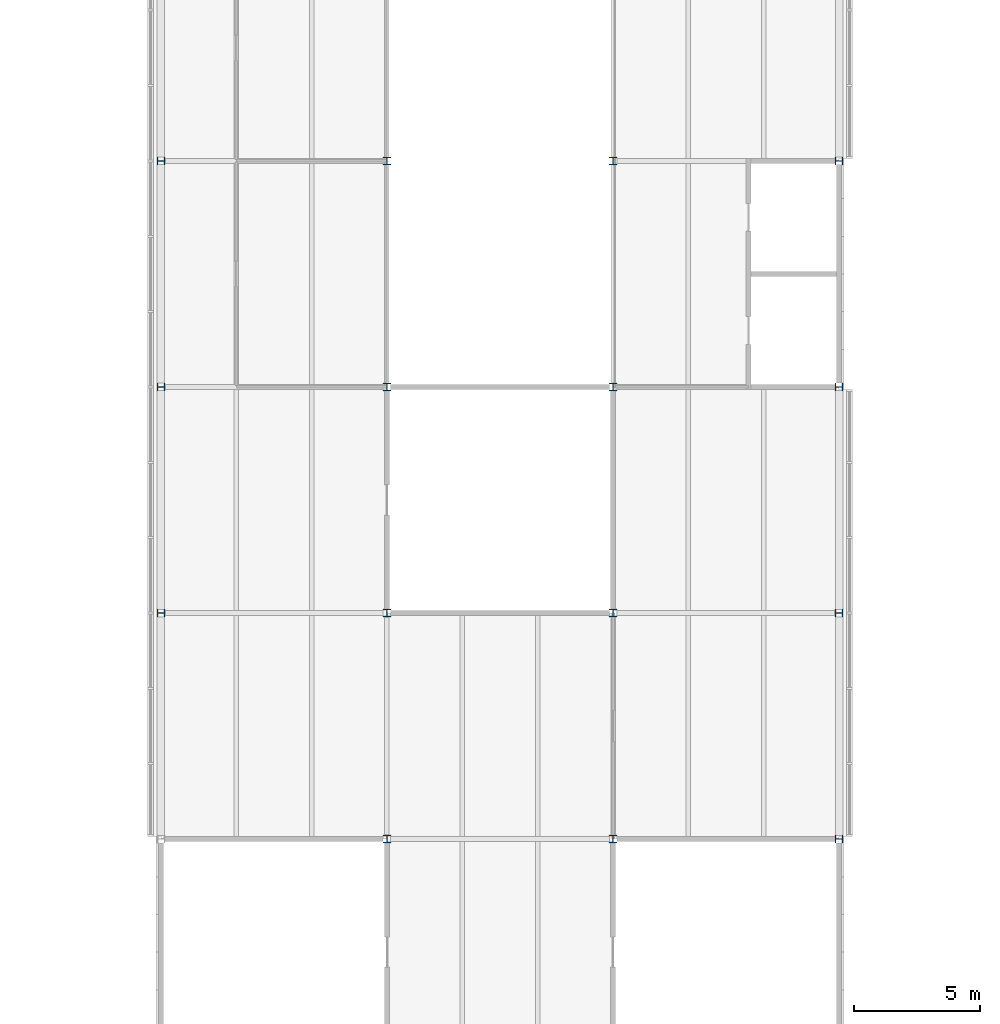
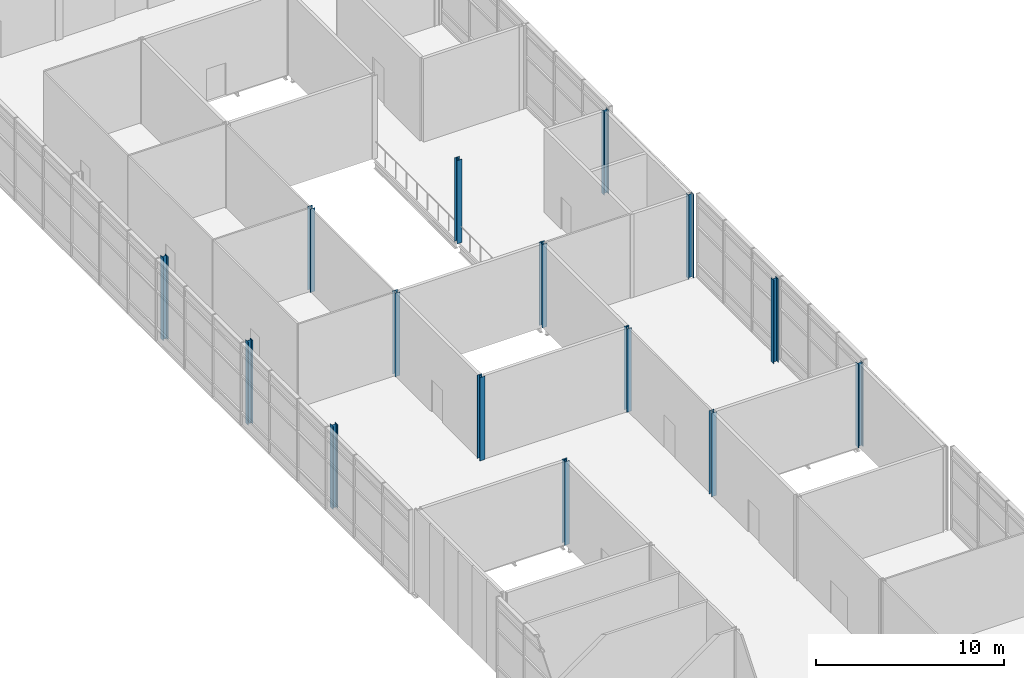
# One storey, part 2 of 46: 15 columns.
"""IFC4 building model written with IfcOpenShell, lengths in metres."""

from ifc_helpers import new_model, si_unit, direction, frame, origin, origin_2d, place, context, subcontext, project, spatial, i_section, extrude, material, material_profile, profile_set, type_object, element, save


model = new_model("IFC4")

# Units and contexts
model_context = context("Model", 3, precision=1e-05, world=origin(), true_north=direction((0.0, 1.0)))
body_context = subcontext(model_context, "Body", "Model", "MODEL_VIEW")
ifc_project = project(units=[si_unit("LENGTHUNIT", "METRE"), si_unit("AREAUNIT", "SQUARE_METRE"), si_unit("VOLUMEUNIT", "CUBIC_METRE"), si_unit("PLANEANGLEUNIT", "RADIAN"), si_unit("MASSUNIT", "GRAM", prefix="KILO")], contexts=[model_context])

# Site, building, storey
site_placement = place(None, origin())
site = spatial("IfcSite", under=ifc_project, at=site_placement, CompositionType="ELEMENT")
building_placement = place(site_placement, origin())
building = spatial("IfcBuilding", under=site, at=building_placement, Name="Azimuth Sports and Learning Centre", CompositionType="ELEMENT")
storey_placement = place(building_placement, frame((0.0, 0.0, 21.60009765625)))
storey = spatial("IfcBuildingStorey", under=building, at=storey_placement, Name="L04", CompositionType="ELEMENT", Elevation=21.60009765625)

# Columns
ifc_material = material(Name="Steel S355", Category="steel")
ifc_material_profile = material_profile(ifc_material, i_section(OverallWidth=0.300048828125, OverallDepth=0.300048828125, WebThickness=0.010986328125, FlangeThickness=0.01904296875, FilletRadius=0.027099609375, at=origin_2d()), Name="HEB 300")
ifc_profile_set = profile_set([ifc_material_profile], Name="Steel S355")
column_type = type_object("IfcColumnType", Name="Column HEB 300", PredefinedType="COLUMN", material=ifc_profile_set)
for number, where, z_axis, x_axis, name in (
    (1, (81.0, 36.0, 0.0), (0.0, 0.0, 1.0), (1.0, 0.0, 0.0), "Column 10E L04"),
    (2, (90.0, 36.0, 0.0), (0.0, 0.0, 1.0), (1.0, 0.0, 0.0), "Column 11E L04"),
    (3, (99.0, 36.0, 0.0), (0.0, 0.0, 1.0), (0.0, 1.0, 0.0), "Column 12E L04"),
    (4, (72.0, 45.0, 0.0), (0.0, 0.0, 1.0), (0.0, 1.0, 0.0), "Column 9F L04"),
    (5, (81.0, 45.0, 0.0), (0.0, 0.0, 1.0), (1.0, 0.0, 0.0), "Column 10F L04"),
    (6, (90.0, 45.0, 0.0), (0.0, 0.0, 1.0), (1.0, 0.0, 0.0), "Column 11F L04"),
    (7, (99.0, 45.0, 0.0), (0.0, 0.0, 1.0), (0.0, 1.0, 0.0), "Column 12F L04"),
    (8, (72.0, 54.0, 0.0), (0.0, 0.0, 1.0), (0.0, 1.0, 0.0), "Column 9G L04"),
    (9, (81.0, 54.0, 0.0), (0.0, 0.0, 1.0), (1.0, 0.0, 0.0), "Column 10G L04"),
    (10, (90.0, 54.0, 0.0), (0.0, 0.0, 1.0), (1.0, 0.0, 0.0), "Column 11G L04"),
    (11, (99.0, 54.0, 0.0), (0.0, 0.0, 1.0), (0.0, 1.0, 0.0), "Column 12G L04"),
    (12, (72.0, 63.0, 0.0), (0.0, 0.0, 1.0), (0.0, 1.0, 0.0), "Column 9H L04"),
    (13, (81.0, 63.0, 0.0), (0.0, 0.0, 1.0), (1.0, 0.0, 0.0), "Column 10H L04"),
    (14, (90.0, 63.0, 0.0), (0.0, 0.0, 1.0), (1.0, 0.0, 0.0), "Column 11H L04"),
    (15, (99.0, 63.0, 0.0), (0.0, 0.0, 1.0), (0.0, 1.0, 0.0), "Column 12H L04"),
):
    element("IfcColumn", number, at=place(storey_placement, frame(where, z_axis=z_axis, x_axis=x_axis)), inside=storey, type_object=column_type, Name=name, PredefinedType="COLUMN", context=body_context, shape_type="SweptSolid", body=[
        extrude(i_section(OverallWidth=0.300048828125, OverallDepth=0.300048828125, WebThickness=0.010986328125, FlangeThickness=0.01904296875, FilletRadius=0.027099609375, at=origin_2d()), origin(), (0.0, 0.0, 1.0), 5.39990234375),
    ])

save(model, "model.ifc")
